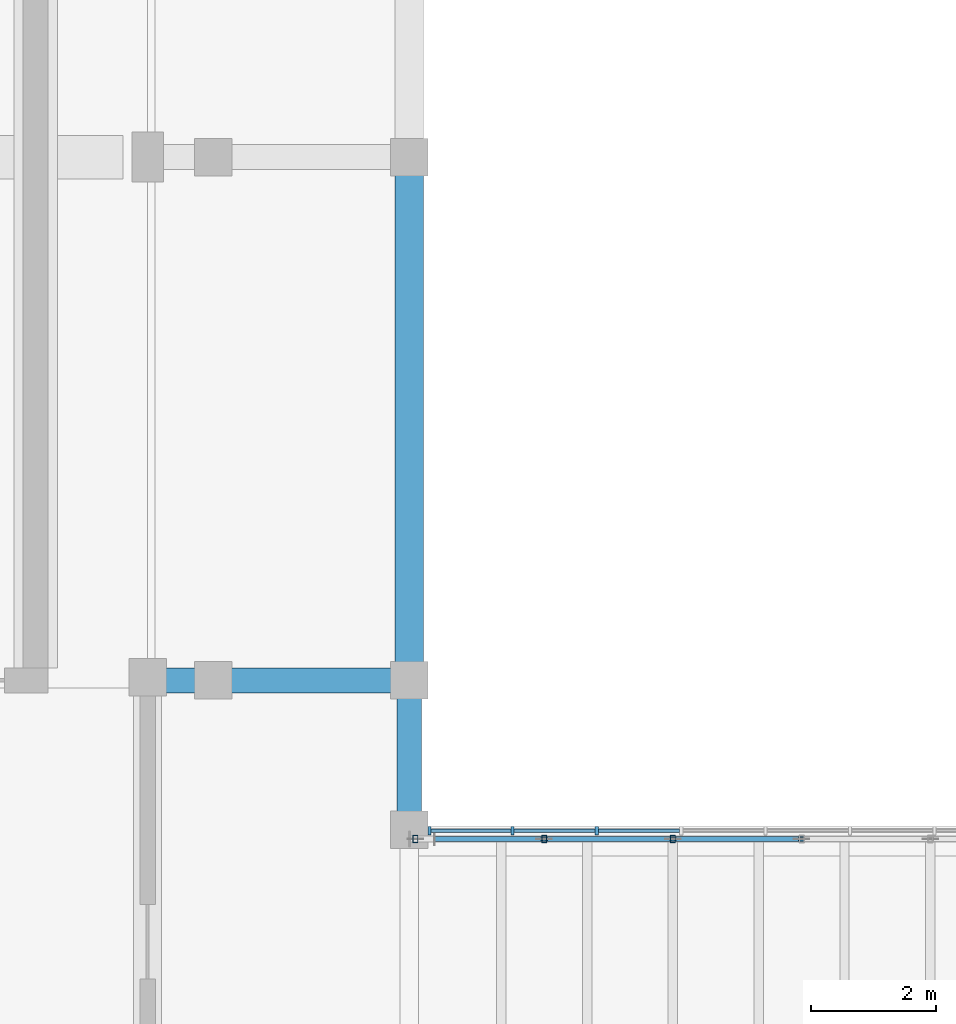
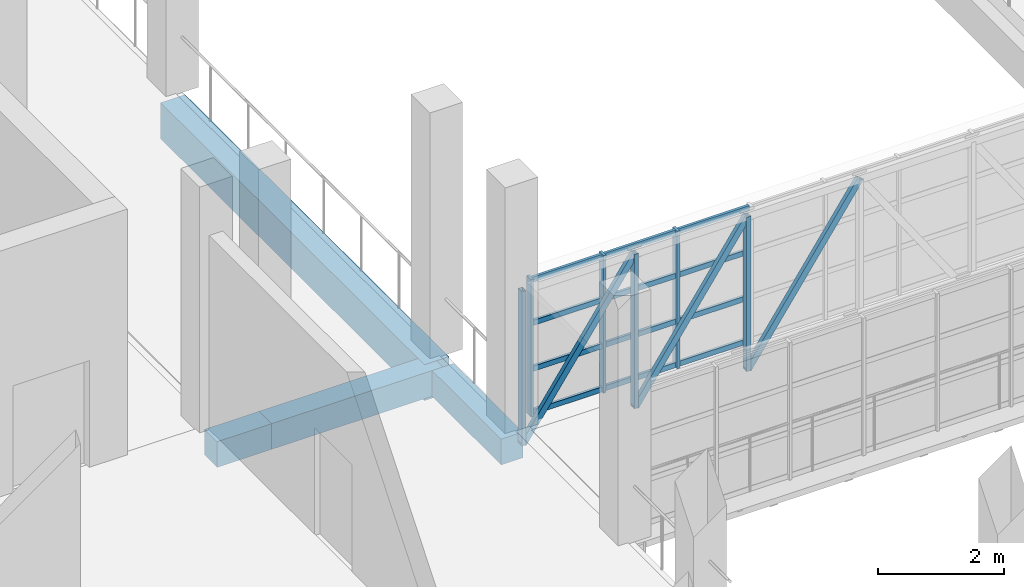
# One storey, part 15 of 86: 21 members, 4 beams, 1 element without a shape of its own.
"""IFC4 building model written with IfcOpenShell, lengths in metres."""

import ifcopenshell
import ifcopenshell.guid

model = None  # the IFC model being written
_history = None  # IfcOwnerHistory: only IFC2X3 demands one
_inside = {}  # id of a spatial element -> (the spatial element, [elements in it])
_under = {}  # id of a project, library or spatial element -> (it, [spatial elements below it])
_declared = {}  # id of a project -> (the project, [libraries it declares])
_typed = {}  # id of a type object -> (the type object, [elements of that type])
_made_of = {}  # id of a material, layer set ... -> (it, [elements and type objects made of it])


def new_model(schema):
    """Start an empty IFC model of exactly this schema.

    Asked for "IFC4X3", IfcOpenShell would pick the latest addendum, in which some entities
    have other attributes; the version numbers below select the first issue.
    IFC2X3 requires an IfcOwnerHistory on every rooted entity: one is made here for all.
    """
    global model, _history
    if schema == "IFC4X3":
        model = ifcopenshell.file(schema_version=(4, 3, 0, 0))
    else:
        model = ifcopenshell.file(schema=schema)
    _inside.clear()
    _under.clear()
    _declared.clear()
    _typed.clear()
    _made_of.clear()
    _history = None
    if model.schema == "IFC2X3":
        org = make("IfcOrganization", Name="unknown")
        user = make(
            "IfcPersonAndOrganization",
            ThePerson=make("IfcPerson", FamilyName="unknown"),
            TheOrganization=org,
        )
        app = make(
            "IfcApplication",
            ApplicationDeveloper=org,
            Version="unknown",
            ApplicationFullName="unknown",
            ApplicationIdentifier="unknown",
        )
        _history = make(
            "IfcOwnerHistory",
            OwningUser=user,
            OwningApplication=app,
            ChangeAction="ADDED",
            CreationDate=0,
        )
    return model


def make(cls, **values):
    """One entity of the class cls with the attributes given. An attribute that is None is left unset."""
    return model.create_entity(
        cls, **{name: value for name, value in values.items() if value is not None}
    )


def rooted(cls, **values):
    """An entity with a GlobalId (a new one), such as an element, a storey or a relation."""
    return make(cls, GlobalId=ifcopenshell.guid.new(), OwnerHistory=_history, **values)


def si_unit(unit_type, name, prefix=None):
    """IfcSIUnit, for example si_unit("LENGTHUNIT", "METRE", prefix="MILLI")."""
    return make("IfcSIUnit", UnitType=unit_type, Prefix=prefix, Name=name)


def assignment(units):
    """IfcUnitAssignment: the units of a project."""
    return None if units is None else make("IfcUnitAssignment", Units=units)


def point(xyz):
    """IfcCartesianPoint."""
    return None if xyz is None else make("IfcCartesianPoint", Coordinates=xyz)


def direction(xyz):
    """IfcDirection."""
    return None if xyz is None else make("IfcDirection", DirectionRatios=xyz)


def frame(location, z_axis=None, x_axis=None):
    """IfcAxis2Placement3D, a coordinate frame: its origin and axes. An axis left out is left unset."""
    return make(
        "IfcAxis2Placement3D",
        Location=point(location),
        Axis=direction(z_axis),
        RefDirection=direction(x_axis),
    )


def frame_2d(location, x_axis=None):
    """IfcAxis2Placement2D, a coordinate frame in the plane: its origin and x axis."""
    return make(
        "IfcAxis2Placement2D", Location=point(location), RefDirection=direction(x_axis)
    )


def origin():
    """The frame at (0, 0, 0) with its axes left unset."""
    return frame((0.0, 0.0, 0.0))


def origin_2d():
    """The frame at (0, 0) in the plane with its x axis left unset."""
    return frame_2d((0.0, 0.0))


def place(relative_to, where):
    """IfcLocalPlacement: puts the frame where relative to a parent placement (None: the world)."""
    return make(
        "IfcLocalPlacement", PlacementRelTo=relative_to, RelativePlacement=where
    )


def context(
    kind, dimensions, precision=None, world=None, true_north=None, identifier=None
):
    """IfcGeometricRepresentationContext, for example the 3D "Model" context."""
    return make(
        "IfcGeometricRepresentationContext",
        ContextIdentifier=identifier,
        ContextType=kind,
        CoordinateSpaceDimension=dimensions,
        Precision=precision,
        WorldCoordinateSystem=world,
        TrueNorth=true_north,
    )


def subcontext(parent, identifier, kind, view, scale=None):
    """IfcGeometricRepresentationSubContext, for example "Body" below "Model"."""
    return make(
        "IfcGeometricRepresentationSubContext",
        ContextIdentifier=identifier,
        ContextType=kind,
        ParentContext=parent,
        TargetScale=scale,
        TargetView=view,
    )


def project(units=None, contexts=None):
    """IfcProject with its units and contexts."""
    return rooted(
        "IfcProject",
        Name="project",
        RepresentationContexts=contexts,
        UnitsInContext=assignment(units),
    )


def spatial(cls, under=None, at=None, **own):
    """A site, building, storey or space (cls), placed at a placement, below another one or the project."""
    s = rooted(cls, ObjectPlacement=at, **own)
    if under is not None:
        _under.setdefault(under.id(), (under, []))[1].append(s)
    return s


def profile(cls, at=None, kind="AREA", **sizes):
    """A parametric profile (cls). Its sizes go by their IFC names, for example OverallWidth=200.0."""
    return make(cls, ProfileType=kind, Position=at, **sizes)


def rectangle(**sizes):
    """IfcRectangleProfileDef."""
    return profile("IfcRectangleProfileDef", **sizes)


def hollow_rectangle(**sizes):
    """IfcRectangleHollowProfileDef."""
    return profile("IfcRectangleHollowProfileDef", **sizes)


def extrude(swept, where, along, depth):
    """IfcExtrudedAreaSolid: the profile swept, set in the frame where, extruded along a direction by depth."""
    return make(
        "IfcExtrudedAreaSolid",
        SweptArea=swept,
        Position=where,
        ExtrudedDirection=direction(along),
        Depth=depth,
    )


def shape(context_of_items, identifier, shape_type, items):
    """IfcShapeRepresentation: the items that make up one representation, for example the "Body"."""
    return make(
        "IfcShapeRepresentation",
        ContextOfItems=context_of_items,
        RepresentationIdentifier=identifier,
        RepresentationType=shape_type,
        Items=items,
    )


def material(Name=None, Category=None):
    """IfcMaterial."""
    return make("IfcMaterial", Name=Name, Category=Category)


def layer(
    of_material, thickness, ventilated=None, Name=None, Category=None, Priority=None
):
    """IfcMaterialLayer: one layer of a wall or slab, of a material (None: an air gap)."""
    return make(
        "IfcMaterialLayer",
        Material=of_material,
        LayerThickness=thickness,
        IsVentilated=ventilated,
        Name=Name,
        Category=Category,
        Priority=Priority,
    )


def layer_set(layers, Name=None):
    """IfcMaterialLayerSet."""
    return make("IfcMaterialLayerSet", MaterialLayers=layers, LayerSetName=Name)


def material_profile(
    of_material, cross_section, Name=None, Category=None, Priority=None
):
    """IfcMaterialProfile: a cross section and its material."""
    return make(
        "IfcMaterialProfile",
        Name=Name,
        Material=of_material,
        Profile=cross_section,
        Priority=Priority,
        Category=Category,
    )


def profile_set(profiles, Name=None, composite=None):
    """IfcMaterialProfileSet."""
    return make(
        "IfcMaterialProfileSet",
        Name=Name,
        MaterialProfiles=profiles,
        CompositeProfile=composite,
    )


def made_of(thing, what):
    """Note that an element or type object is made of a material, layer set ...; save() writes the relation."""
    if what is not None:
        _made_of.setdefault(what.id(), (what, []))[1].append(thing)
    return thing


def type_object(cls, material=None, **own):
    """A type object (cls), such as IfcWallType, which elements share."""
    return made_of(rooted(cls, **own), material)


def element(
    cls,
    number,
    at=None,
    inside=None,
    cuts=None,
    type_object=None,
    material=None,
    context=None,
    identifier="Body",
    shape_type=None,
    held_by="IfcProductDefinitionShape",
    body=None,
    shapes=None,
    **own,
):
    """One element of the class cls, such as IfcWall. Its Tag is "e" and its number.

    at: its placement. inside: the storey or other place that contains it. cuts: it is an
    opening in that element (IfcRelVoidsElement). A single representation is given by context,
    identifier, shape_type and body (its items); several are given by shapes. held_by: the class
    of the entity that holds the representations. save() writes the other relations.
    """
    e = rooted(cls, Tag="e%d" % number, ObjectPlacement=at, **own)
    if body is not None:
        shapes = [shape(context, identifier, shape_type, body)]
    if shapes is not None:
        e.Representation = make(held_by, Representations=shapes)
    if inside is not None:
        _inside.setdefault(inside.id(), (inside, []))[1].append(e)
    if cuts is not None:
        rooted(
            "IfcRelVoidsElement", RelatingBuildingElement=cuts, RelatedOpeningElement=e
        )
    if type_object is not None:
        _typed.setdefault(type_object.id(), (type_object, []))[1].append(e)
    return made_of(e, material)


def aggregate(whole, parts):
    """IfcRelAggregates: a whole, such as a stair, and the parts it consists of."""
    return rooted("IfcRelAggregates", RelatingObject=whole, RelatedObjects=parts)


def save(model, path):
    """Write the relations noted so far, then the file.

    IfcRelAggregates (storeys below a building ...), IfcRelContainedInSpatialStructure (elements
    in a storey), IfcRelDefinesByType, IfcRelAssociatesMaterial and IfcRelDeclares: one each for
    every whole, place, type object, material and project.
    """
    for whole, parts in _under.values():
        aggregate(whole, parts)
    for where, things in _inside.values():
        rooted(
            "IfcRelContainedInSpatialStructure",
            RelatedElements=things,
            RelatingStructure=where,
        )
    for kind, things in _typed.values():
        rooted("IfcRelDefinesByType", RelatedObjects=things, RelatingType=kind)
    for what, things in _made_of.values():
        rooted("IfcRelAssociatesMaterial", RelatedObjects=things, RelatingMaterial=what)
    for by, libraries in _declared.values():
        rooted("IfcRelDeclares", RelatingContext=by, RelatedDefinitions=libraries)
    model.write(path)


model = new_model("IFC4")

# Units and contexts
model_context = context("Model", 3, precision=1e-05, world=origin(), true_north=direction((0.0, 1.0)))
body_context = subcontext(model_context, "Body", "Model", "MODEL_VIEW")
ifc_project = project(units=[si_unit("LENGTHUNIT", "METRE"), si_unit("AREAUNIT", "SQUARE_METRE"), si_unit("VOLUMEUNIT", "CUBIC_METRE"), si_unit("PLANEANGLEUNIT", "RADIAN"), si_unit("MASSUNIT", "GRAM", prefix="KILO")], contexts=[model_context])

# Site, building, storey
site_placement = place(None, origin())
site = spatial("IfcSite", under=ifc_project, at=site_placement, CompositionType="ELEMENT")
building_placement = place(site_placement, origin())
building = spatial("IfcBuilding", under=site, at=building_placement, Name="Kiln Court Media Centre", CompositionType="ELEMENT")
storey_placement = place(building_placement, frame((0.0, 0.0, 10.199951171875)))
storey = spatial("IfcBuildingStorey", under=building, at=storey_placement, Name="L02", CompositionType="ELEMENT", Elevation=10.199951171875)

# Curtain wall, members
ifc_material_1 = material(Name="Aluminium 6063-T6", Category="aluminium")
ifc_layer = layer(ifc_material_1, 0.1201171875)
ifc_layer_set = layer_set([ifc_layer], Name="Aluminium unitised curtain wall, bridge")
curtain_wall_type = type_object("IfcCurtainWallType", Name="Aluminium unitised curtain wall, bridge", PredefinedType="USERDEFINED", material=ifc_layer_set)
curtain_wall_placement = place(storey_placement, origin())
curtain_wall = element("IfcCurtainWall", 1, at=curtain_wall_placement, inside=storey, type_object=curtain_wall_type, Name="BR-L02-FOY-11 side glazing", ObjectType="UNITISED CURTAIN WALL", PredefinedType="USERDEFINED")
ifc_material_2 = material(Name="Aluminium 6063-T6", Category="aluminium")
ifc_material_profile_1 = material_profile(ifc_material_2, rectangle(XDim=0.050048828125, YDim=0.139892578125, at=origin_2d()), Name="Aluminium hall mullion 50x140")
ifc_profile_set_1 = profile_set([ifc_material_profile_1], Name="Aluminium 6063-T6")
member_type_1 = type_object("IfcMemberType", Name="Aluminium hall mullion 50x140", PredefinedType="MULLION", material=ifc_profile_set_1)
member_1_placement = place(storey_placement, frame((38.125, 39.5849609375, 0.0), z_axis=(0.0, 0.0, 1.0), x_axis=(1.0, 0.0, 0.0)))
member_1 = element("IfcMember", 2, at=member_1_placement, type_object=member_type_1, Name="CW2-68 mullion 1", PredefinedType="MULLION", context=body_context, shape_type="SweptSolid", body=[
    extrude(rectangle(XDim=0.050048828125, YDim=0.139892578125, at=origin_2d()), origin(), (0.0, 0.0, 1.0), 2.675048828125),
])
member_2_placement = place(storey_placement, frame((39.45556640625, 39.5849609375, 0.0), z_axis=(0.0, 0.0, 1.0), x_axis=(1.0, 0.0, 0.0)))
member_2 = element("IfcMember", 3, at=member_2_placement, type_object=member_type_1, Name="CW2-68 mullion 2", PredefinedType="MULLION", context=body_context, shape_type="SweptSolid", body=[
    extrude(rectangle(XDim=0.050048828125, YDim=0.139892578125, at=origin_2d()), origin(), (0.0, 0.0, 1.0), 2.675048828125),
])
member_3_placement = place(storey_placement, frame((40.81103515625, 39.5849609375, 0.0), z_axis=(0.0, 0.0, 1.0), x_axis=(1.0, 0.0, 0.0)))
member_3 = element("IfcMember", 4, at=member_3_placement, type_object=member_type_1, Name="CW2-68 mullion 3", PredefinedType="MULLION", context=body_context, shape_type="SweptSolid", body=[
    extrude(rectangle(XDim=0.050048828125, YDim=0.139892578125, at=origin_2d()), origin(), (0.0, 0.0, 1.0), 2.675048828125),
])
ifc_material_3 = material(Name="Aluminium 6063-T6", Category="aluminium")
ifc_material_profile_2 = material_profile(ifc_material_3, rectangle(XDim=0.050048828125, YDim=0.10009765625, at=origin_2d()), Name="Aluminium hall transom 50x100")
ifc_profile_set_2 = profile_set([ifc_material_profile_2], Name="Aluminium 6063-T6")
member_type_2 = type_object("IfcMemberType", Name="Aluminium hall transom 50x100", PredefinedType="USERDEFINED", material=ifc_profile_set_2)
member_4_placement = place(storey_placement, frame((38.14990234375, 39.5849609375, 0.050048828125), z_axis=(1.0, 0.0, 0.0), x_axis=(0.0, 1.0, 0.0)))
member_4 = element("IfcMember", 5, at=member_4_placement, type_object=member_type_2, Name="CW2-68 transom 1.1", ObjectType="TRANSOM", PredefinedType="USERDEFINED", context=body_context, shape_type="SweptSolid", body=[
    extrude(rectangle(XDim=0.050048828125, YDim=0.10009765625, at=origin_2d()), origin(), (0.0, 0.0, 1.0), 1.28076171875),
])
member_5_placement = place(storey_placement, frame((38.14990234375, 39.5849609375, 0.891845703125), z_axis=(1.0, 0.0, 0.0), x_axis=(0.0, 1.0, 0.0)))
member_5 = element("IfcMember", 6, at=member_5_placement, type_object=member_type_2, Name="CW2-68 transom 1.2", ObjectType="TRANSOM", PredefinedType="USERDEFINED", context=body_context, shape_type="SweptSolid", body=[
    extrude(rectangle(XDim=0.050048828125, YDim=0.10009765625, at=origin_2d()), origin(), (0.0, 0.0, 1.0), 1.28076171875),
])
member_6_placement = place(storey_placement, frame((38.14990234375, 39.5849609375, 1.783447265625), z_axis=(1.0, 0.0, 0.0), x_axis=(0.0, 1.0, 0.0)))
member_6 = element("IfcMember", 7, at=member_6_placement, type_object=member_type_2, Name="CW2-68 transom 1.3", ObjectType="TRANSOM", PredefinedType="USERDEFINED", context=body_context, shape_type="SweptSolid", body=[
    extrude(rectangle(XDim=0.050048828125, YDim=0.10009765625, at=origin_2d()), origin(), (0.0, 0.0, 1.0), 1.28076171875),
])
member_7_placement = place(storey_placement, frame((38.14990234375, 39.5849609375, 2.625), z_axis=(1.0, 0.0, 0.0), x_axis=(0.0, 1.0, 0.0)))
member_7 = element("IfcMember", 8, at=member_7_placement, type_object=member_type_2, Name="CW2-68 transom 1.4", ObjectType="TRANSOM", PredefinedType="USERDEFINED", context=body_context, shape_type="SweptSolid", body=[
    extrude(rectangle(XDim=0.050048828125, YDim=0.10009765625, at=origin_2d()), origin(), (0.0, 0.0, 1.0), 1.28076171875),
])
member_8_placement = place(storey_placement, frame((39.48046875, 39.5849609375, 0.050048828125), z_axis=(1.0, 0.0, 0.0), x_axis=(0.0, 1.0, 0.0)))
member_8 = element("IfcMember", 9, at=member_8_placement, type_object=member_type_2, Name="CW2-68 transom 2.1", ObjectType="TRANSOM", PredefinedType="USERDEFINED", context=body_context, shape_type="SweptSolid", body=[
    extrude(rectangle(XDim=0.050048828125, YDim=0.10009765625, at=origin_2d()), origin(), (0.0, 0.0, 1.0), 1.3056640625),
])
member_9_placement = place(storey_placement, frame((39.48046875, 39.5849609375, 0.891845703125), z_axis=(1.0, 0.0, 0.0), x_axis=(0.0, 1.0, 0.0)))
member_9 = element("IfcMember", 10, at=member_9_placement, type_object=member_type_2, Name="CW2-68 transom 2.2", ObjectType="TRANSOM", PredefinedType="USERDEFINED", context=body_context, shape_type="SweptSolid", body=[
    extrude(rectangle(XDim=0.050048828125, YDim=0.10009765625, at=origin_2d()), origin(), (0.0, 0.0, 1.0), 1.3056640625),
])
member_10_placement = place(storey_placement, frame((39.48046875, 39.5849609375, 1.783447265625), z_axis=(1.0, 0.0, 0.0), x_axis=(0.0, 1.0, 0.0)))
member_10 = element("IfcMember", 11, at=member_10_placement, type_object=member_type_2, Name="CW2-68 transom 2.3", ObjectType="TRANSOM", PredefinedType="USERDEFINED", context=body_context, shape_type="SweptSolid", body=[
    extrude(rectangle(XDim=0.050048828125, YDim=0.10009765625, at=origin_2d()), origin(), (0.0, 0.0, 1.0), 1.3056640625),
])
member_11_placement = place(storey_placement, frame((39.48046875, 39.5849609375, 2.625), z_axis=(1.0, 0.0, 0.0), x_axis=(0.0, 1.0, 0.0)))
member_11 = element("IfcMember", 12, at=member_11_placement, type_object=member_type_2, Name="CW2-68 transom 2.4", ObjectType="TRANSOM", PredefinedType="USERDEFINED", context=body_context, shape_type="SweptSolid", body=[
    extrude(rectangle(XDim=0.050048828125, YDim=0.10009765625, at=origin_2d()), origin(), (0.0, 0.0, 1.0), 1.3056640625),
])
member_12_placement = place(storey_placement, frame((40.836181640625, 39.5849609375, 0.050048828125), z_axis=(1.0, 0.0, 0.0), x_axis=(0.0, 1.0, 0.0)))
member_12 = element("IfcMember", 13, at=member_12_placement, type_object=member_type_2, Name="CW2-68 transom 3.1", ObjectType="TRANSOM", PredefinedType="USERDEFINED", context=body_context, shape_type="SweptSolid", body=[
    extrude(rectangle(XDim=0.050048828125, YDim=0.10009765625, at=origin_2d()), origin(), (0.0, 0.0, 1.0), 1.305419921875),
])
member_13_placement = place(storey_placement, frame((40.836181640625, 39.5849609375, 0.891845703125), z_axis=(1.0, 0.0, 0.0), x_axis=(0.0, 1.0, 0.0)))
member_13 = element("IfcMember", 14, at=member_13_placement, type_object=member_type_2, Name="CW2-68 transom 3.2", ObjectType="TRANSOM", PredefinedType="USERDEFINED", context=body_context, shape_type="SweptSolid", body=[
    extrude(rectangle(XDim=0.050048828125, YDim=0.10009765625, at=origin_2d()), origin(), (0.0, 0.0, 1.0), 1.305419921875),
])
member_14_placement = place(storey_placement, frame((40.836181640625, 39.5849609375, 1.783447265625), z_axis=(1.0, 0.0, 0.0), x_axis=(0.0, 1.0, 0.0)))
member_14 = element("IfcMember", 15, at=member_14_placement, type_object=member_type_2, Name="CW2-68 transom 3.3", ObjectType="TRANSOM", PredefinedType="USERDEFINED", context=body_context, shape_type="SweptSolid", body=[
    extrude(rectangle(XDim=0.050048828125, YDim=0.10009765625, at=origin_2d()), origin(), (0.0, 0.0, 1.0), 1.305419921875),
])
member_15_placement = place(storey_placement, frame((40.836181640625, 39.5849609375, 2.625), z_axis=(1.0, 0.0, 0.0), x_axis=(0.0, 1.0, 0.0)))
member_15 = element("IfcMember", 16, at=member_15_placement, type_object=member_type_2, Name="CW2-68 transom 3.4", ObjectType="TRANSOM", PredefinedType="USERDEFINED", context=body_context, shape_type="SweptSolid", body=[
    extrude(rectangle(XDim=0.050048828125, YDim=0.10009765625, at=origin_2d()), origin(), (0.0, 0.0, 1.0), 1.305419921875),
])
aggregate(curtain_wall, [member_1, member_2, member_3, member_4, member_5, member_6, member_7, member_8, member_9, member_10, member_11, member_12, member_13, member_14, member_15])

# Beams
ifc_material_4 = material(Name="Concrete C30/37", Category="concrete")
ifc_material_profile_3 = material_profile(ifc_material_4, rectangle(XDim=0.39990234375, YDim=0.5, at=origin_2d()), Name="RC 400x500")
ifc_profile_set_3 = profile_set([ifc_material_profile_3], Name="Concrete C30/37")
beam_type_1 = type_object("IfcBeamType", Name="Concrete C30/37 beam 400x500", PredefinedType="BEAM", material=ifc_profile_set_3)
beam_1_placement = place(storey_placement, frame((33.64990234375, 42.0, -0.550048828125), z_axis=(1.0, 0.0, 0.0), x_axis=(0.0, 1.0, 0.0)))
element("IfcBeam", 17, at=beam_1_placement, inside=storey, type_object=beam_type_1, Name="L02-B-1086", PredefinedType="BEAM", context=body_context, shape_type="SweptSolid", body=[
    extrude(rectangle(XDim=0.39990234375, YDim=0.5, at=origin_2d()), origin(), (0.0, 0.0, 1.0), 1.0),
])
beam_2_placement = place(storey_placement, frame((34.64990234375, 42.0, -0.550048828125), z_axis=(1.0, 0.0, 0.0), x_axis=(0.0, 1.0, 0.0)))
element("IfcBeam", 18, at=beam_2_placement, inside=storey, type_object=beam_type_1, Name="L02-B-1087", PredefinedType="BEAM", context=body_context, shape_type="SweptSolid", body=[
    extrude(rectangle(XDim=0.39990234375, YDim=0.5, at=origin_2d()), origin(), (0.0, 0.0, 1.0), 3.151123046875),
])
beam_3_placement = place(storey_placement, frame((37.800048828125, 41.800048828125, -0.550048828125), z_axis=(0.0, -1.0, 0.0), x_axis=(1.0, 0.0, 0.0)))
element("IfcBeam", 19, at=beam_3_placement, inside=storey, type_object=beam_type_1, Name="L02-B-1099", PredefinedType="BEAM", context=body_context, shape_type="SweptSolid", body=[
    extrude(rectangle(XDim=0.39990234375, YDim=0.5, at=origin_2d()), origin(), (0.0, 0.0, 1.0), 2.199951171875),
])
ifc_material_5 = material(Name="Concrete C30/37", Category="concrete")
ifc_material_profile_4 = material_profile(ifc_material_5, rectangle(XDim=0.449951171875, YDim=0.699951171875, at=origin_2d()), Name="RC 450x700")
ifc_profile_set_4 = profile_set([ifc_material_profile_4], Name="Concrete C30/37")
beam_type_2 = type_object("IfcBeamType", Name="Concrete C30/37 beam 450x700", PredefinedType="BEAM", material=ifc_profile_set_4)
beam_4_placement = place(storey_placement, frame((37.800048828125, 50.39990234375, -0.64990234375), z_axis=(0.0, -1.0, 0.0), x_axis=(1.0, 0.0, 0.0)))
element("IfcBeam", 20, at=beam_4_placement, inside=storey, type_object=beam_type_2, Name="L02-B-1098", PredefinedType="BEAM", context=body_context, shape_type="SweptSolid", body=[
    extrude(rectangle(XDim=0.449951171875, YDim=0.699951171875, at=origin_2d()), origin(), (0.0, 0.0, 1.0), 8.39990234375),
])

# Members
ifc_material_6 = material(Name="Steel ASTM A500 Gr C", Category="steel")
ifc_material_profile_5 = material_profile(ifc_material_6, hollow_rectangle(XDim=0.080078125, YDim=0.1201171875, WallThickness=0.00634765625, at=origin_2d()), Name="RHS 120x80x6.3")
ifc_profile_set_5 = profile_set([ifc_material_profile_5], Name="Steel ASTM A500 Gr C")
member_type_3 = type_object("IfcMemberType", Name="Steel ASTM A500 Gr C RHS 120x80x6.3 bridge truss web", PredefinedType="BRACE", material=ifc_profile_set_5)
for number, where, z_axis, x_axis, name in (
    (21, (37.89990234375, 39.449951171875, -0.39990234375), (0.0, 0.0, 1.0), (1.0, 0.0, 0.0), "bridge BR-L02-FOY-11 side truss 2 post 1 bridge truss web"),
    (22, (39.966796875, 39.449951171875, -0.39990234375), (0.0, 0.0, 1.0), (1.0, 0.0, 0.0), "bridge BR-L02-FOY-11 side truss 2 post 2 bridge truss web"),
    (23, (42.033203125, 39.449951171875, -0.39990234375), (0.0, 0.0, 1.0), (1.0, 0.0, 0.0), "bridge BR-L02-FOY-11 side truss 2 post 3 bridge truss web"),
):
    element("IfcMember", number, at=place(storey_placement, frame(where, z_axis=z_axis, x_axis=x_axis)), inside=storey, type_object=member_type_3, Name=name, PredefinedType="BRACE", context=body_context, shape_type="SweptSolid", body=[
        extrude(hollow_rectangle(XDim=0.080078125, YDim=0.1201171875, WallThickness=0.00634765625, at=origin_2d()), origin(), (0.0, 0.0, 1.0), 3.0),
    ])
member_16_placement = place(storey_placement, frame((37.89990234375, 39.449951171875, -0.39990234375), z_axis=(0.567347652797, 0.0, 0.823478379113), x_axis=(0.0, 1.0, 0.0)))
element("IfcMember", 24, at=member_16_placement, inside=storey, type_object=member_type_3, Name="bridge BR-L02-FOY-11 side truss 2 diagonal 1 bridge truss web", PredefinedType="BRACE", context=body_context, shape_type="SweptSolid", body=[
    extrude(hollow_rectangle(XDim=0.080078125, YDim=0.1201171875, WallThickness=0.00634765625, at=origin_2d()), origin(), (0.0, 0.0, 1.0), 3.64306640625),
])
member_17_placement = place(storey_placement, frame((39.966796875, 39.449951171875, -0.39990234375), z_axis=(0.56725675467, 0.0, 0.823540997329), x_axis=(0.0, 1.0, 0.0)))
element("IfcMember", 25, at=member_17_placement, inside=storey, type_object=member_type_3, Name="bridge BR-L02-FOY-11 side truss 2 diagonal 2 bridge truss web", PredefinedType="BRACE", context=body_context, shape_type="SweptSolid", body=[
    extrude(hollow_rectangle(XDim=0.080078125, YDim=0.1201171875, WallThickness=0.00634765625, at=origin_2d()), origin(), (0.0, 0.0, 1.0), 3.642822265625),
])
member_18_placement = place(storey_placement, frame((42.033203125, 39.449951171875, -0.39990234375), z_axis=(0.567347652797, 0.0, 0.823478379113), x_axis=(0.0, 1.0, 0.0)))
element("IfcMember", 26, at=member_18_placement, inside=storey, type_object=member_type_3, Name="bridge BR-L02-FOY-11 side truss 2 diagonal 3 bridge truss web", PredefinedType="BRACE", context=body_context, shape_type="SweptSolid", body=[
    extrude(hollow_rectangle(XDim=0.080078125, YDim=0.1201171875, WallThickness=0.00634765625, at=origin_2d()), origin(), (0.0, 0.0, 1.0), 3.64306640625),
])

save(model, "model.ifc")
